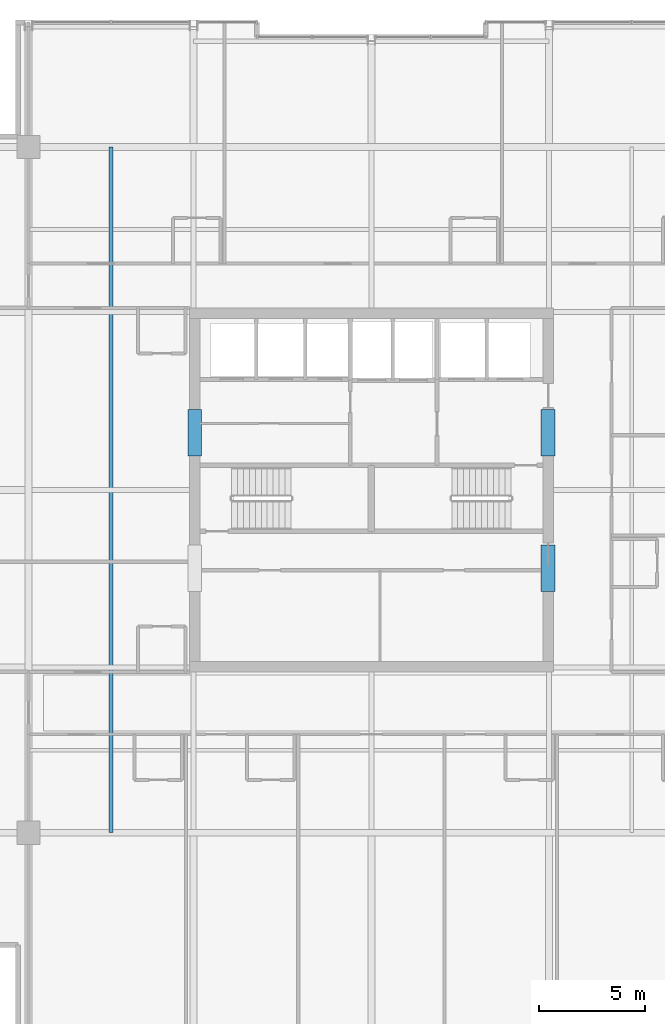
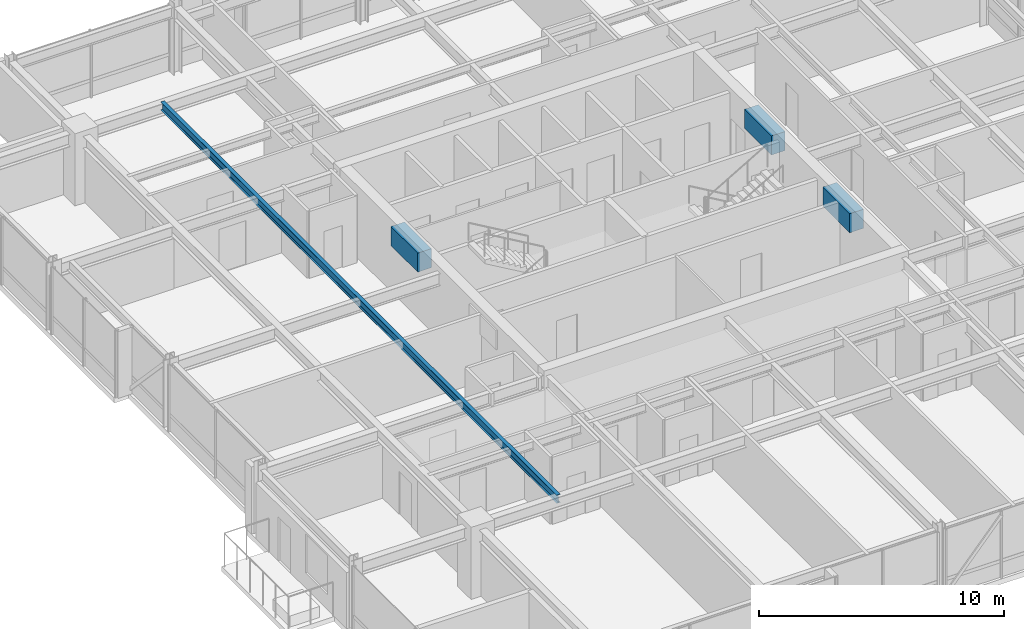
# One storey, part 11 of 32: 4 beams.
"""IFC4 building model written with IfcOpenShell, lengths in metres."""

from ifc_helpers import new_model, si_unit, direction, frame, origin, origin_2d, place, context, subcontext, project, spatial, rectangle, i_section, extrude, material, material_profile, profile_set, type_object, element, save


model = new_model("IFC4")

# Units and contexts
model_context = context("Model", 3, precision=1e-05, world=origin(), true_north=direction((0.0, 1.0)))
body_context = subcontext(model_context, "Body", "Model", "MODEL_VIEW")
ifc_project = project(units=[si_unit("LENGTHUNIT", "METRE"), si_unit("AREAUNIT", "SQUARE_METRE"), si_unit("VOLUMEUNIT", "CUBIC_METRE"), si_unit("PLANEANGLEUNIT", "RADIAN"), si_unit("MASSUNIT", "GRAM", prefix="KILO")], contexts=[model_context])

# Site, building, storey
site_placement = place(None, origin())
site = spatial("IfcSite", under=ifc_project, at=site_placement, CompositionType="ELEMENT")
building_placement = place(site_placement, origin())
building = spatial("IfcBuilding", under=site, at=building_placement, Name="Drelvath Grand Hotel", CompositionType="ELEMENT")
storey_placement = place(building_placement, frame((0.0, 0.0, 226.699951171875)))
storey = spatial("IfcBuildingStorey", under=building, at=storey_placement, Name="L59", CompositionType="ELEMENT", Elevation=226.699951171875)

# Beams
ifc_material_1 = material(Name="Steel ASTM A992 Gr 50", Category="steel")
ifc_material_profile_1 = material_profile(ifc_material_1, i_section(OverallWidth=0.177734375, OverallDepth=0.40673828125, WebThickness=0.0078125, FlangeThickness=0.0126953125, FilletRadius=0.014892578125, at=origin_2d()), Name="W16X40")
ifc_profile_set_1 = profile_set([ifc_material_profile_1], Name="Steel ASTM A992 Gr 50")
beam_type_1 = type_object("IfcBeamType", Name="Composite Floor Joist W16X40", PredefinedType="JOIST", material=ifc_profile_set_1)
beam_placement = place(storey_placement, frame((-12.300048828125, 10.800048828125, 3.13671875), z_axis=(0.0, 1.0, 0.0), x_axis=(-1.0, 0.0, 0.0)))
element("IfcBeam", 1, at=beam_placement, inside=storey, type_object=beam_type_1, Name="L59 Wing Floor Joist J3", PredefinedType="JOIST", context=body_context, shape_type="SweptSolid", body=[
    extrude(i_section(OverallWidth=0.177734375, OverallDepth=0.40673828125, WebThickness=0.0078125, FlangeThickness=0.0126953125, FilletRadius=0.014892578125, at=origin_2d()), origin(), (0.0, 0.0, 1.0), 32.39990234375),
])
ifc_material_2 = material(Name="Concrete f'c 55 MPa", Category="concrete")
ifc_material_profile_2 = material_profile(ifc_material_2, rectangle(XDim=0.64990234375, YDim=0.949951171875, at=origin_2d()), Name="CB650X950")
ifc_profile_set_2 = profile_set([ifc_material_profile_2], Name="Concrete f'c 55 MPa")
beam_type_2 = type_object("IfcBeamType", Name="Core Coupling Lintel CB650X950", PredefinedType="LINTEL", material=ifc_profile_set_2)
for number, where, z_axis, x_axis, name in (
    (2, (-8.35009765625, 28.60009765625, 2.864990234375), (0.0, 1.0, 0.0), (-1.0, 0.0, 0.0), "L59 Core Coupling Lintel WN"),
    (3, (8.35009765625, 22.199951171875, 2.864990234375), (0.0, 1.0, 0.0), (-1.0, 0.0, 0.0), "L59 Core Coupling Lintel ES"),
    (4, (8.35009765625, 28.60009765625, 2.864990234375), (0.0, 1.0, 0.0), (-1.0, 0.0, 0.0), "L59 Core Coupling Lintel EN"),
):
    element("IfcBeam", number, at=place(storey_placement, frame(where, z_axis=z_axis, x_axis=x_axis)), inside=storey, type_object=beam_type_2, Name=name, PredefinedType="LINTEL", context=body_context, shape_type="SweptSolid", body=[
        extrude(rectangle(XDim=0.64990234375, YDim=0.949951171875, at=origin_2d()), origin(), (0.0, 0.0, 1.0), 2.199951171875),
    ])

save(model, "model.ifc")
